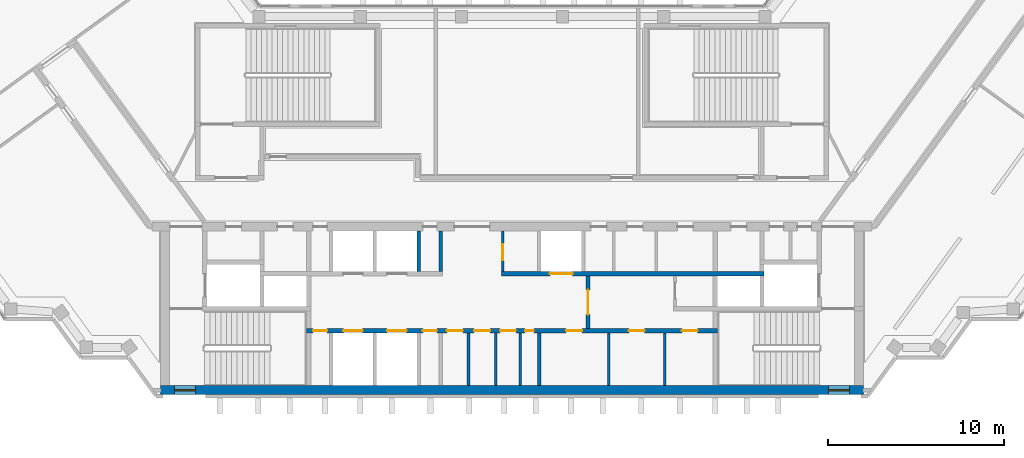
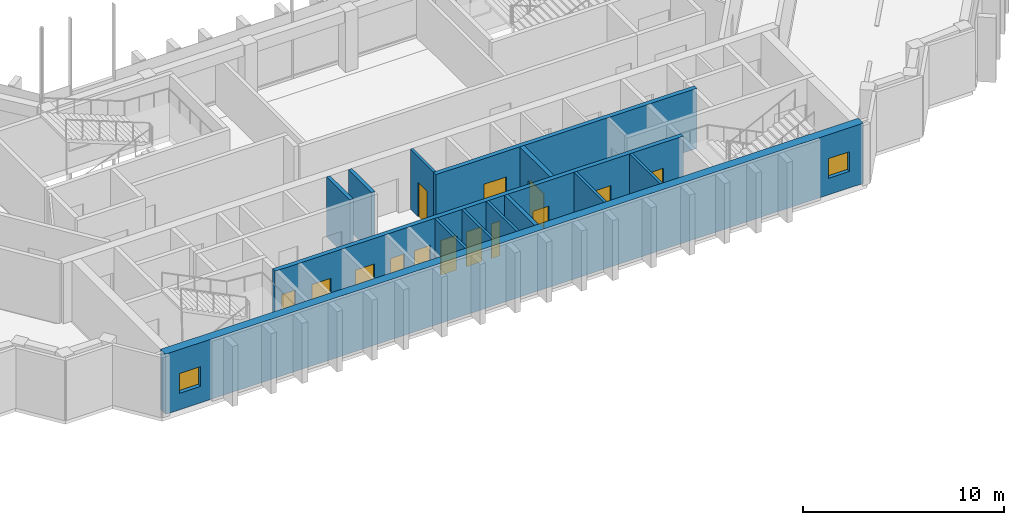
# One storey, part 9 of 14: 14 doors, 13 walls, 2 windows, 16 openings.
"""IFC4 building model written with IfcOpenShell, lengths in metres."""

from ifc_helpers import new_model, si_unit, direction, frame, frame_2d, origin, place, context, subcontext, project, spatial, rectangle, extrude, material, layer, layer_set, type_object, element, fill, save


model = new_model("IFC4")

# Units and contexts
model_context = context("Model", 3, precision=1e-05, world=origin(), true_north=direction((0.0, 1.0)))
body_context = subcontext(model_context, "Body", "Model", "MODEL_VIEW")
ifc_project = project(units=[si_unit("LENGTHUNIT", "METRE"), si_unit("AREAUNIT", "SQUARE_METRE"), si_unit("VOLUMEUNIT", "CUBIC_METRE"), si_unit("PLANEANGLEUNIT", "RADIAN"), si_unit("MASSUNIT", "GRAM", prefix="KILO")], contexts=[model_context])

# Site, building, storey
site_placement = place(None, origin())
site = spatial("IfcSite", under=ifc_project, at=site_placement, CompositionType="ELEMENT")
building_placement = place(site_placement, origin())
building = spatial("IfcBuilding", under=site, at=building_placement, Name="Quipu Civic Tower", CompositionType="ELEMENT")
storey_placement = place(building_placement, frame((0.0, 0.0, 323.0)))
storey = spatial("IfcBuildingStorey", under=building, at=storey_placement, Name="L75", CompositionType="ELEMENT", Elevation=323.0)

# Wall, openings, doors
ifc_material_1 = material(Name="Concrete C70/85", Category="concrete")
ifc_layer_1 = layer(ifc_material_1, 0.25)
ifc_layer_set_1 = layer_set([ifc_layer_1], Name="Concrete C70/85")
wall_type_1 = type_object("IfcWallType", Name="Core wall 250", PredefinedType="SHEAR", material=ifc_layer_set_1)
wall_1_placement = place(storey_placement, frame((11.699951171875, -7.375, 0.0), z_axis=(0.0, 0.0, 1.0), x_axis=(-1.0, 0.0, 0.0)))
wall_1 = element("IfcWall", 1, at=wall_1_placement, inside=storey, type_object=wall_type_1, Name="Core wall", PredefinedType="SHEAR", context=body_context, shape_type="SweptSolid", body=[
    extrude(rectangle(XDim=23.39990234375, YDim=0.25, at=frame_2d((11.699951171875, 0.0))), origin(), (0.0, 0.0, 1.0), 3.64990234375),
])
opening_1_placement = place(wall_1_placement, frame((22.22509765625, 0.0, 0.0)))
opening_1 = element("IfcOpeningElement", 2, at=opening_1_placement, cuts=wall_1, Name="Opening CD-01", PredefinedType="OPENING", context=body_context, shape_type="SweptSolid", body=[
    extrude(rectangle(XDim=0.800048828125, YDim=2.10009765625, at=frame_2d((0.39990234375, 1.050048828125))), frame((0.0, 0.135009765625, 0.0), z_axis=(0.0, -1.0, 0.0), x_axis=(1.0, 0.0, 0.0)), (0.0, 0.0, 1.0), 0.27001953125),
])
opening_2_placement = place(wall_1_placement, frame((20.199951171875, 0.0, 0.0)))
opening_2 = element("IfcOpeningElement", 3, at=opening_2_placement, cuts=wall_1, Name="Opening LD-HL1", PredefinedType="OPENING", context=body_context, shape_type="SweptSolid", body=[
    extrude(rectangle(XDim=1.10009765625, YDim=2.10009765625, at=frame_2d((0.550048828125, 1.050048828125))), frame((0.0, 0.135009765625, 0.0), z_axis=(0.0, -1.0, 0.0), x_axis=(1.0, 0.0, 0.0)), (0.0, 0.0, 1.0), 0.27001953125),
])
opening_3_placement = place(wall_1_placement, frame((17.699951171875, 0.0, 0.0)))
opening_3 = element("IfcOpeningElement", 4, at=opening_3_placement, cuts=wall_1, Name="Opening LD-HL2", PredefinedType="OPENING", context=body_context, shape_type="SweptSolid", body=[
    extrude(rectangle(XDim=1.10009765625, YDim=2.10009765625, at=frame_2d((0.550048828125, 1.050048828125))), frame((0.0, 0.135009765625, 0.0), z_axis=(0.0, -1.0, 0.0), x_axis=(1.0, 0.0, 0.0)), (0.0, 0.0, 1.0), 0.27001953125),
])
opening_4_placement = place(wall_1_placement, frame((15.97509765625, 0.0, 0.0)))
opening_4 = element("IfcOpeningElement", 5, at=opening_4_placement, cuts=wall_1, Name="Opening CD-02", PredefinedType="OPENING", context=body_context, shape_type="SweptSolid", body=[
    extrude(rectangle(XDim=0.800048828125, YDim=2.10009765625, at=frame_2d((0.39990234375, 1.050048828125))), frame((0.0, 0.135009765625, 0.0), z_axis=(0.0, -1.0, 0.0), x_axis=(1.0, 0.0, 0.0)), (0.0, 0.0, 1.0), 0.27001953125),
])
opening_5_placement = place(wall_1_placement, frame((14.5, 0.0, 0.0)))
opening_5 = element("IfcOpeningElement", 6, at=opening_5_placement, cuts=wall_1, Name="Opening CD-03", PredefinedType="OPENING", context=body_context, shape_type="SweptSolid", body=[
    extrude(rectangle(XDim=0.89990234375, YDim=2.10009765625, at=frame_2d((0.449951171875, 1.050048828125))), frame((0.0, 0.135009765625, 0.0), z_axis=(0.0, -1.0, 0.0), x_axis=(1.0, 0.0, 0.0)), (0.0, 0.0, 1.0), 0.27001953125),
])
opening_6_placement = place(wall_1_placement, frame((12.949951171875, 0.0, 0.0)))
opening_6 = element("IfcOpeningElement", 7, at=opening_6_placement, cuts=wall_1, Name="Opening CD-04", PredefinedType="OPENING", context=body_context, shape_type="SweptSolid", body=[
    extrude(rectangle(XDim=0.89990234375, YDim=2.10009765625, at=frame_2d((0.449951171875, 1.050048828125))), frame((0.0, 0.135009765625, 0.0), z_axis=(0.0, -1.0, 0.0), x_axis=(1.0, 0.0, 0.0)), (0.0, 0.0, 1.0), 0.27001953125),
])
opening_7_placement = place(wall_1_placement, frame((11.47509765625, 0.0, 0.0)))
opening_7 = element("IfcOpeningElement", 8, at=opening_7_placement, cuts=wall_1, Name="Opening CD-05", PredefinedType="OPENING", context=body_context, shape_type="SweptSolid", body=[
    extrude(rectangle(XDim=0.89990234375, YDim=2.10009765625, at=frame_2d((0.449951171875, 1.050048828125))), frame((0.0, 0.135009765625, 0.0), z_axis=(0.0, -1.0, 0.0), x_axis=(1.0, 0.0, 0.0)), (0.0, 0.0, 1.0), 0.27001953125),
])
opening_8_placement = place(wall_1_placement, frame((10.449951171875, 0.0, 0.0)))
opening_8 = element("IfcOpeningElement", 9, at=opening_8_placement, cuts=wall_1, Name="Opening CD-06", PredefinedType="OPENING", context=body_context, shape_type="SweptSolid", body=[
    extrude(rectangle(XDim=0.5, YDim=2.10009765625, at=frame_2d((0.25, 1.050048828125))), frame((0.0, 0.135009765625, 0.0), z_axis=(0.0, -1.0, 0.0), x_axis=(1.0, 0.0, 0.0)), (0.0, 0.0, 1.0), 0.27001953125),
])
opening_9_placement = place(wall_1_placement, frame((7.712890625, 0.0, 0.0)))
opening_9 = element("IfcOpeningElement", 10, at=opening_9_placement, cuts=wall_1, Name="Opening CD-07", PredefinedType="OPENING", context=body_context, shape_type="SweptSolid", body=[
    extrude(rectangle(XDim=0.89990234375, YDim=2.10009765625, at=frame_2d((0.449951171875, 1.050048828125))), frame((0.0, 0.135009765625, 0.0), z_axis=(0.0, -1.0, 0.0), x_axis=(1.0, 0.0, 0.0)), (0.0, 0.0, 1.0), 0.27001953125),
])
opening_10_placement = place(wall_1_placement, frame((4.14990234375, 0.0, 0.0)))
opening_10 = element("IfcOpeningElement", 11, at=opening_10_placement, cuts=wall_1, Name="Opening CD-08", PredefinedType="OPENING", context=body_context, shape_type="SweptSolid", body=[
    extrude(rectangle(XDim=0.89990234375, YDim=2.10009765625, at=frame_2d((0.449951171875, 1.050048828125))), frame((0.0, 0.135009765625, 0.0), z_axis=(0.0, -1.0, 0.0), x_axis=(1.0, 0.0, 0.0)), (0.0, 0.0, 1.0), 0.27001953125),
])
opening_11_placement = place(wall_1_placement, frame((1.137939453125, 0.0, 0.0)))
opening_11 = element("IfcOpeningElement", 12, at=opening_11_placement, cuts=wall_1, Name="Opening CD-09", PredefinedType="OPENING", context=body_context, shape_type="SweptSolid", body=[
    extrude(rectangle(XDim=0.89990234375, YDim=2.10009765625, at=frame_2d((0.449951171875, 1.050048828125))), frame((0.0, 0.135009765625, 0.0), z_axis=(0.0, -1.0, 0.0), x_axis=(1.0, 0.0, 0.0)), (0.0, 0.0, 1.0), 0.27001953125),
])
ifc_material_2 = material(Name="Fire rated steel door", Category="steel")
door_type_1 = type_object("IfcDoorType", Name="Fire door FD60 500 x 2100", OperationType="NOTDEFINED", PredefinedType="DOOR", material=ifc_material_2)
door_1_placement = place(opening_8_placement, origin())
door_1 = element("IfcDoor", 13, at=door_1_placement, inside=storey, type_object=door_type_1, Name="Door", OperationType="SINGLE_SWING_LEFT", OverallHeight=2.10009765625, OverallWidth=0.5, PredefinedType="DOOR", context=body_context, shape_type="SweptSolid", body=[
    extrude(rectangle(XDim=0.5, YDim=2.10009765625, at=frame_2d((0.25, 1.050048828125))), frame((0.0, 0.02490234375, 0.0), z_axis=(0.0, -1.0, 0.0), x_axis=(1.0, 0.0, 0.0)), (0.0, 0.0, 1.0), 0.050048828125),
])
fill(opening_8, door_1)
ifc_material_3 = material(Name="Fire rated steel door", Category="steel")
door_type_2 = type_object("IfcDoorType", Name="Fire door FD60 800 x 2100", OperationType="NOTDEFINED", PredefinedType="DOOR", material=ifc_material_3)
door_2_placement = place(opening_1_placement, origin())
door_2 = element("IfcDoor", 14, at=door_2_placement, inside=storey, type_object=door_type_2, Name="Door", OperationType="SINGLE_SWING_RIGHT", OverallHeight=2.10009765625, OverallWidth=0.800048828125, PredefinedType="DOOR", context=body_context, shape_type="SweptSolid", body=[
    extrude(rectangle(XDim=0.800048828125, YDim=2.10009765625, at=frame_2d((0.39990234375, 1.050048828125))), frame((0.0, 0.02490234375, 0.0), z_axis=(0.0, -1.0, 0.0), x_axis=(1.0, 0.0, 0.0)), (0.0, 0.0, 1.0), 0.050048828125),
])
fill(opening_1, door_2)
door_3_placement = place(opening_4_placement, origin())
door_3 = element("IfcDoor", 15, at=door_3_placement, inside=storey, type_object=door_type_2, Name="Door", OperationType="SINGLE_SWING_RIGHT", OverallHeight=2.10009765625, OverallWidth=0.800048828125, PredefinedType="DOOR", context=body_context, shape_type="SweptSolid", body=[
    extrude(rectangle(XDim=0.800048828125, YDim=2.10009765625, at=frame_2d((0.39990234375, 1.050048828125))), frame((0.0, 0.02490234375, 0.0), z_axis=(0.0, -1.0, 0.0), x_axis=(1.0, 0.0, 0.0)), (0.0, 0.0, 1.0), 0.050048828125),
])
fill(opening_4, door_3)
ifc_material_4 = material(Name="Fire rated steel door", Category="steel")
door_type_3 = type_object("IfcDoorType", Name="Fire door FD60 900 x 2100", OperationType="NOTDEFINED", PredefinedType="DOOR", material=ifc_material_4)
door_4_placement = place(opening_5_placement, origin())
door_4 = element("IfcDoor", 16, at=door_4_placement, inside=storey, type_object=door_type_3, Name="WC door", OperationType="SINGLE_SWING_RIGHT", OverallHeight=2.10009765625, OverallWidth=0.89990234375, PredefinedType="DOOR", context=body_context, shape_type="SweptSolid", body=[
    extrude(rectangle(XDim=0.89990234375, YDim=2.10009765625, at=frame_2d((0.449951171875, 1.050048828125))), frame((0.0, 0.02490234375, 0.0), z_axis=(0.0, -1.0, 0.0), x_axis=(1.0, 0.0, 0.0)), (0.0, 0.0, 1.0), 0.050048828125),
])
fill(opening_5, door_4)
door_5_placement = place(opening_6_placement, origin())
door_5 = element("IfcDoor", 17, at=door_5_placement, inside=storey, type_object=door_type_3, Name="WC door", OperationType="SINGLE_SWING_RIGHT", OverallHeight=2.10009765625, OverallWidth=0.89990234375, PredefinedType="DOOR", context=body_context, shape_type="SweptSolid", body=[
    extrude(rectangle(XDim=0.89990234375, YDim=2.10009765625, at=frame_2d((0.449951171875, 1.050048828125))), frame((0.0, 0.02490234375, 0.0), z_axis=(0.0, -1.0, 0.0), x_axis=(1.0, 0.0, 0.0)), (0.0, 0.0, 1.0), 0.050048828125),
])
fill(opening_6, door_5)
door_6_placement = place(opening_7_placement, origin())
door_6 = element("IfcDoor", 18, at=door_6_placement, inside=storey, type_object=door_type_3, Name="WC door", OperationType="SINGLE_SWING_RIGHT", OverallHeight=2.10009765625, OverallWidth=0.89990234375, PredefinedType="DOOR", context=body_context, shape_type="SweptSolid", body=[
    extrude(rectangle(XDim=0.89990234375, YDim=2.10009765625, at=frame_2d((0.449951171875, 1.050048828125))), frame((0.0, 0.02490234375, 0.0), z_axis=(0.0, -1.0, 0.0), x_axis=(1.0, 0.0, 0.0)), (0.0, 0.0, 1.0), 0.050048828125),
])
fill(opening_7, door_6)
door_7_placement = place(opening_9_placement, origin())
door_7 = element("IfcDoor", 19, at=door_7_placement, inside=storey, type_object=door_type_3, Name="Door", OperationType="SINGLE_SWING_LEFT", OverallHeight=2.10009765625, OverallWidth=0.89990234375, PredefinedType="DOOR", context=body_context, shape_type="SweptSolid", body=[
    extrude(rectangle(XDim=0.89990234375, YDim=2.10009765625, at=frame_2d((0.449951171875, 1.050048828125))), frame((0.0, 0.02490234375, 0.0), z_axis=(0.0, -1.0, 0.0), x_axis=(1.0, 0.0, 0.0)), (0.0, 0.0, 1.0), 0.050048828125),
])
fill(opening_9, door_7)
door_8_placement = place(opening_10_placement, origin())
door_8 = element("IfcDoor", 20, at=door_8_placement, inside=storey, type_object=door_type_3, Name="Door", OperationType="SINGLE_SWING_LEFT", OverallHeight=2.10009765625, OverallWidth=0.89990234375, PredefinedType="DOOR", context=body_context, shape_type="SweptSolid", body=[
    extrude(rectangle(XDim=0.89990234375, YDim=2.10009765625, at=frame_2d((0.449951171875, 1.050048828125))), frame((0.0, 0.02490234375, 0.0), z_axis=(0.0, -1.0, 0.0), x_axis=(1.0, 0.0, 0.0)), (0.0, 0.0, 1.0), 0.050048828125),
])
fill(opening_10, door_8)
door_9_placement = place(opening_11_placement, origin())
door_9 = element("IfcDoor", 21, at=door_9_placement, inside=storey, type_object=door_type_3, Name="Door", OperationType="SINGLE_SWING_LEFT", OverallHeight=2.10009765625, OverallWidth=0.89990234375, PredefinedType="DOOR", context=body_context, shape_type="SweptSolid", body=[
    extrude(rectangle(XDim=0.89990234375, YDim=2.10009765625, at=frame_2d((0.449951171875, 1.050048828125))), frame((0.0, 0.02490234375, 0.0), z_axis=(0.0, -1.0, 0.0), x_axis=(1.0, 0.0, 0.0)), (0.0, 0.0, 1.0), 0.050048828125),
])
fill(opening_11, door_9)
ifc_material_5 = material(Name="Stainless steel", Category="steel")
door_type_4 = type_object("IfcDoorType", Name="Lift landing door 1100 x 2100", OperationType="DOUBLE_DOOR_SLIDING", PredefinedType="DOOR", material=ifc_material_5)
door_10_placement = place(opening_2_placement, origin())
door_10 = element("IfcDoor", 22, at=door_10_placement, inside=storey, type_object=door_type_4, Name="Landing door HL1", OperationType="DOUBLE_DOOR_SLIDING", OverallHeight=2.10009765625, OverallWidth=1.10009765625, PredefinedType="DOOR", context=body_context, shape_type="SweptSolid", body=[
    extrude(rectangle(XDim=1.10009765625, YDim=2.10009765625, at=frame_2d((0.550048828125, 1.050048828125))), frame((0.0, 0.02490234375, 0.0), z_axis=(0.0, -1.0, 0.0), x_axis=(1.0, 0.0, 0.0)), (0.0, 0.0, 1.0), 0.050048828125),
])
fill(opening_2, door_10)
door_11_placement = place(opening_3_placement, origin())
door_11 = element("IfcDoor", 23, at=door_11_placement, inside=storey, type_object=door_type_4, Name="Landing door HL2", OperationType="DOUBLE_DOOR_SLIDING", OverallHeight=2.10009765625, OverallWidth=1.10009765625, PredefinedType="DOOR", context=body_context, shape_type="SweptSolid", body=[
    extrude(rectangle(XDim=1.10009765625, YDim=2.10009765625, at=frame_2d((0.550048828125, 1.050048828125))), frame((0.0, 0.02490234375, 0.0), z_axis=(0.0, -1.0, 0.0), x_axis=(1.0, 0.0, 0.0)), (0.0, 0.0, 1.0), 0.050048828125),
])
fill(opening_3, door_11)

# Wall, opening, door
wall_2_placement = place(storey_placement, frame((4.324951171875, -7.25, 0.0), z_axis=(0.0, 0.0, 1.0), x_axis=(0.0, 1.0, 0.0)))
wall_2 = element("IfcWall", 24, at=wall_2_placement, inside=storey, type_object=wall_type_1, Name="Core wall", PredefinedType="SHEAR", context=body_context, shape_type="SweptSolid", body=[
    extrude(rectangle(XDim=3.0, YDim=0.25, at=frame_2d((1.5, 0.0))), origin(), (0.0, 0.0, 1.0), 3.64990234375),
])
opening_12_placement = place(wall_2_placement, frame((0.800048828125, 0.0, 0.0)))
opening_12 = element("IfcOpeningElement", 25, at=opening_12_placement, cuts=wall_2, Name="Opening CD-12", PredefinedType="OPENING", context=body_context, shape_type="SweptSolid", body=[
    extrude(rectangle(XDim=1.39990234375, YDim=2.10009765625, at=frame_2d((0.699951171875, 1.050048828125))), frame((0.0, 0.135009765625, 0.0), z_axis=(0.0, -1.0, 0.0), x_axis=(1.0, 0.0, 0.0)), (0.0, 0.0, 1.0), 0.27001953125),
])
ifc_material_6 = material(Name="Fire rated steel door", Category="steel")
door_type_5 = type_object("IfcDoorType", Name="Fire door FD60 double 1400 x 2100", OperationType="NOTDEFINED", PredefinedType="DOOR", material=ifc_material_6)
door_12_placement = place(opening_12_placement, origin())
door_12 = element("IfcDoor", 26, at=door_12_placement, inside=storey, type_object=door_type_5, Name="Hall door", OperationType="DOUBLE_DOOR_SINGLE_SWING", OverallHeight=2.10009765625, OverallWidth=1.39990234375, PredefinedType="DOOR", context=body_context, shape_type="SweptSolid", body=[
    extrude(rectangle(XDim=1.39990234375, YDim=2.10009765625, at=frame_2d((0.699951171875, 1.050048828125))), frame((0.0, 0.02490234375, 0.0), z_axis=(0.0, -1.0, 0.0), x_axis=(1.0, 0.0, 0.0)), (0.0, 0.0, 1.0), 0.050048828125),
])
fill(opening_12, door_12)

wall_3_placement = place(storey_placement, frame((-0.60009765625, -4.125, 0.0), z_axis=(0.0, 0.0, 1.0), x_axis=(1.0, 0.0, 0.0)))
wall_3 = element("IfcWall", 27, at=wall_3_placement, inside=storey, type_object=wall_type_1, Name="Core wall", PredefinedType="SHEAR", context=body_context, shape_type="SweptSolid", body=[
    extrude(rectangle(XDim=14.9501953125, YDim=0.25, at=frame_2d((7.47509765625, 0.0))), origin(), (0.0, 0.0, 1.0), 3.64990234375),
])
opening_13_placement = place(wall_3_placement, frame((2.75, 0.0, 0.0)))
opening_13 = element("IfcOpeningElement", 28, at=opening_13_placement, cuts=wall_3, Name="Opening LD-FF3", PredefinedType="OPENING", context=body_context, shape_type="SweptSolid", body=[
    extrude(rectangle(XDim=1.300048828125, YDim=2.10009765625, at=frame_2d((0.64990234375, 1.050048828125))), frame((0.0, 0.135009765625, 0.0), z_axis=(0.0, -1.0, 0.0), x_axis=(1.0, 0.0, 0.0)), (0.0, 0.0, 1.0), 0.27001953125),
])
ifc_material_7 = material(Name="Stainless steel", Category="steel")
door_type_6 = type_object("IfcDoorType", Name="Lift landing door 1300 x 2100", OperationType="DOUBLE_DOOR_SLIDING", PredefinedType="DOOR", material=ifc_material_7)
door_13_placement = place(opening_13_placement, origin())
door_13 = element("IfcDoor", 29, at=door_13_placement, inside=storey, type_object=door_type_6, Name="Landing door FF3", OperationType="DOUBLE_DOOR_SLIDING", OverallHeight=2.10009765625, OverallWidth=1.300048828125, PredefinedType="DOOR", context=body_context, shape_type="SweptSolid", body=[
    extrude(rectangle(XDim=1.300048828125, YDim=2.10009765625, at=frame_2d((0.64990234375, 1.050048828125))), frame((0.0, 0.02490234375, 0.0), z_axis=(0.0, -1.0, 0.0), x_axis=(1.0, 0.0, 0.0)), (0.0, 0.0, 1.0), 0.050048828125),
])
fill(opening_13, door_13)

# Wall, openings, windows
ifc_material_8 = material(Name="Concrete C70/85", Category="concrete")
ifc_layer_2 = layer(ifc_material_8, 0.5)
ifc_layer_set_2 = layer_set([ifc_layer_2], Name="Concrete C70/85")
wall_type_2 = type_object("IfcWallType", Name="Core wall 500", PredefinedType="SHEAR", material=ifc_layer_set_2)
wall_4_placement = place(storey_placement, frame((-20.0, -10.75, 0.0), z_axis=(0.0, 0.0, 1.0), x_axis=(1.0, 0.0, 0.0)))
wall_4 = element("IfcWall", 30, at=wall_4_placement, inside=storey, type_object=wall_type_2, Name="Core wall", PredefinedType="SHEAR", context=body_context, shape_type="SweptSolid", body=[
    extrude(rectangle(XDim=40.0, YDim=0.5, at=frame_2d((20.0, 0.0))), origin(), (0.0, 0.0, 1.0), 3.64990234375),
])
opening_14_placement = place(wall_4_placement, frame((0.800048828125, 0.0, 1.0)))
opening_14 = element("IfcOpeningElement", 31, at=opening_14_placement, cuts=wall_4, Name="Opening SV-1", PredefinedType="OPENING", context=body_context, shape_type="SweptSolid", body=[
    extrude(rectangle(XDim=1.199951171875, YDim=1.199951171875, at=frame_2d((0.60009765625, 0.60009765625))), frame((0.0, 0.260009765625, 0.0), z_axis=(0.0, -1.0, 0.0), x_axis=(1.0, 0.0, 0.0)), (0.0, 0.0, 1.0), 0.52001953125),
])
opening_15_placement = place(wall_4_placement, frame((38.0, 0.0, 1.0)))
opening_15 = element("IfcOpeningElement", 32, at=opening_15_placement, cuts=wall_4, Name="Opening SV-2", PredefinedType="OPENING", context=body_context, shape_type="SweptSolid", body=[
    extrude(rectangle(XDim=1.199951171875, YDim=1.199951171875, at=frame_2d((0.60009765625, 0.60009765625))), frame((0.0, 0.260009765625, 0.0), z_axis=(0.0, -1.0, 0.0), x_axis=(1.0, 0.0, 0.0)), (0.0, 0.0, 1.0), 0.52001953125),
])
ifc_material_9 = material(Name="Aluminium louvre", Category="aluminium")
window_type = type_object("IfcWindowType", Name="Stair ventilation louvre 1200 x 1200", PartitioningType="SINGLE_PANEL", PredefinedType="WINDOW", material=ifc_material_9)
window_1_placement = place(opening_14_placement, origin())
window_1 = element("IfcWindow", 33, at=window_1_placement, inside=storey, type_object=window_type, Name="Stair ventilation opening", OverallHeight=1.199951171875, OverallWidth=1.199951171875, PartitioningType="SINGLE_PANEL", PredefinedType="WINDOW", context=body_context, shape_type="SweptSolid", body=[
    extrude(rectangle(XDim=1.199951171875, YDim=1.199951171875, at=frame_2d((0.60009765625, 0.60009765625))), frame((0.0, 0.030029296875, 0.0), z_axis=(0.0, -1.0, 0.0), x_axis=(1.0, 0.0, 0.0)), (0.0, 0.0, 1.0), 0.06005859375),
])
fill(opening_14, window_1)
window_2_placement = place(opening_15_placement, origin())
window_2 = element("IfcWindow", 34, at=window_2_placement, inside=storey, type_object=window_type, Name="Stair ventilation opening", OverallHeight=1.199951171875, OverallWidth=1.199951171875, PartitioningType="SINGLE_PANEL", PredefinedType="WINDOW", context=body_context, shape_type="SweptSolid", body=[
    extrude(rectangle(XDim=1.199951171875, YDim=1.199951171875, at=frame_2d((0.60009765625, 0.60009765625))), frame((0.0, 0.030029296875, 0.0), z_axis=(0.0, -1.0, 0.0), x_axis=(1.0, 0.0, 0.0)), (0.0, 0.0, 1.0), 0.06005859375),
])
fill(opening_15, window_2)

# Walls
ifc_material_10 = material(Name="Gypsum board partition")
ifc_layer_3 = layer(ifc_material_10, 0.14990234375)
ifc_layer_set_3 = layer_set([ifc_layer_3], Name="Gypsum board partition")
wall_type_3 = type_object("IfcWallType", Name="Partition 150", PredefinedType="PARTITIONING", material=ifc_layer_set_3)
for number, where, z_axis, x_axis, name in (
    (35, (-2.47509765625, -10.5, 0.0), (0.0, 0.0, 1.0), (0.0, 1.0, 0.0), "Partition"),
    (36, (-0.925048828125, -10.5, 0.0), (0.0, 0.0, 1.0), (0.0, 1.0, 0.0), "Partition"),
    (37, (0.47509765625, -10.5, 0.0), (0.0, 0.0, 1.0), (0.0, 1.0, 0.0), "Partition"),
    (38, (5.5, -10.5, 0.0), (0.0, 0.0, 1.0), (0.0, 1.0, 0.0), "Partition"),
    (39, (8.699951171875, -10.5, 0.0), (0.0, 0.0, 1.0), (0.0, 1.0, 0.0), "Partition"),
):
    element("IfcWall", number, at=place(storey_placement, frame(where, z_axis=z_axis, x_axis=x_axis)), inside=storey, type_object=wall_type_3, Name=name, PredefinedType="PARTITIONING", context=body_context, shape_type="SweptSolid", body=[
        extrude(rectangle(XDim=3.0, YDim=0.14990234375, at=frame_2d((1.5, 0.0))), origin(), (0.0, 0.0, 1.0), 3.64990234375),
    ])

# Wall, opening, door
wall_5_placement = place(storey_placement, frame((-0.52490234375, -4.0, 0.0), z_axis=(0.0, 0.0, 1.0), x_axis=(0.0, 1.0, 0.0)))
wall_5 = element("IfcWall", 40, at=wall_5_placement, inside=storey, type_object=wall_type_3, Name="Partition", PredefinedType="PARTITIONING", context=body_context, shape_type="SweptSolid", body=[
    extrude(rectangle(XDim=2.300048828125, YDim=0.14990234375, at=frame_2d((1.14990234375, 0.0))), origin(), (0.0, 0.0, 1.0), 3.64990234375),
])
opening_16_placement = place(wall_5_placement, frame((0.64990234375, 0.0, 0.0)))
opening_16 = element("IfcOpeningElement", 41, at=opening_16_placement, cuts=wall_5, Name="Opening CD-14", PredefinedType="OPENING", context=body_context, shape_type="SweptSolid", body=[
    extrude(rectangle(XDim=0.89990234375, YDim=2.10009765625, at=frame_2d((0.449951171875, 1.050048828125))), frame((0.0, 0.0849609375, 0.0), z_axis=(0.0, -1.0, 0.0), x_axis=(1.0, 0.0, 0.0)), (0.0, 0.0, 1.0), 0.169921875),
])
door_14_placement = place(opening_16_placement, origin())
door_14 = element("IfcDoor", 42, at=door_14_placement, inside=storey, type_object=door_type_3, Name="WC door", OperationType="SINGLE_SWING_LEFT", OverallHeight=2.10009765625, OverallWidth=0.89990234375, PredefinedType="DOOR", context=body_context, shape_type="SweptSolid", body=[
    extrude(rectangle(XDim=0.89990234375, YDim=2.10009765625, at=frame_2d((0.449951171875, 1.050048828125))), frame((0.0, 0.02490234375, 0.0), z_axis=(0.0, -1.0, 0.0), x_axis=(1.0, 0.0, 0.0)), (0.0, 0.0, 1.0), 0.050048828125),
])
fill(opening_16, door_14)

# Walls
ifc_material_11 = material(Name="Concrete C40/50", Category="concrete")
ifc_layer_4 = layer(ifc_material_11, 0.199951171875)
ifc_layer_set_4 = layer_set([ifc_layer_4], Name="Concrete C40/50")
wall_type_4 = type_object("IfcWallType", Name="Shaft wall 200", PredefinedType="SOLIDWALL", material=ifc_layer_set_4)
wall_6_placement = place(storey_placement, frame((1.550048828125, -10.5, 0.0), z_axis=(0.0, 0.0, 1.0), x_axis=(0.0, 1.0, 0.0)))
element("IfcWall", 43, at=wall_6_placement, inside=storey, type_object=wall_type_4, Name="Shaft wall", PredefinedType="SOLIDWALL", context=body_context, shape_type="SweptSolid", body=[
    extrude(rectangle(XDim=3.0, YDim=0.199951171875, at=frame_2d((1.5, 0.0))), origin(), (0.0, 0.0, 1.0), 3.64990234375),
])
for number, where, z_axis, x_axis, name in (
    (44, (-5.300048828125, -4.0, 0.0), (0.0, 0.0, 1.0), (0.0, 1.0, 0.0), "Shaft wall"),
    (45, (-4.050048828125, -4.0, 0.0), (0.0, 0.0, 1.0), (0.0, 1.0, 0.0), "Shaft wall"),
):
    element("IfcWall", number, at=place(storey_placement, frame(where, z_axis=z_axis, x_axis=x_axis)), inside=storey, type_object=wall_type_4, Name=name, PredefinedType="SOLIDWALL", context=body_context, shape_type="SweptSolid", body=[
        extrude(rectangle(XDim=2.300048828125, YDim=0.199951171875, at=frame_2d((1.14990234375, 0.0))), origin(), (0.0, 0.0, 1.0), 3.64990234375),
    ])

save(model, "model.ifc")
